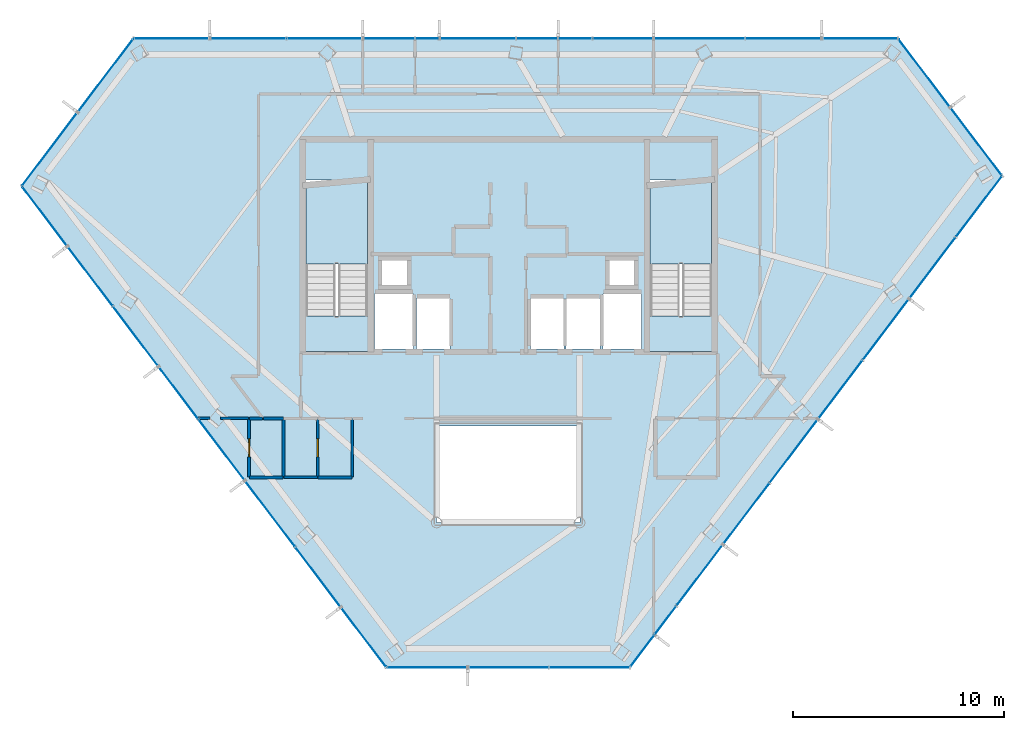
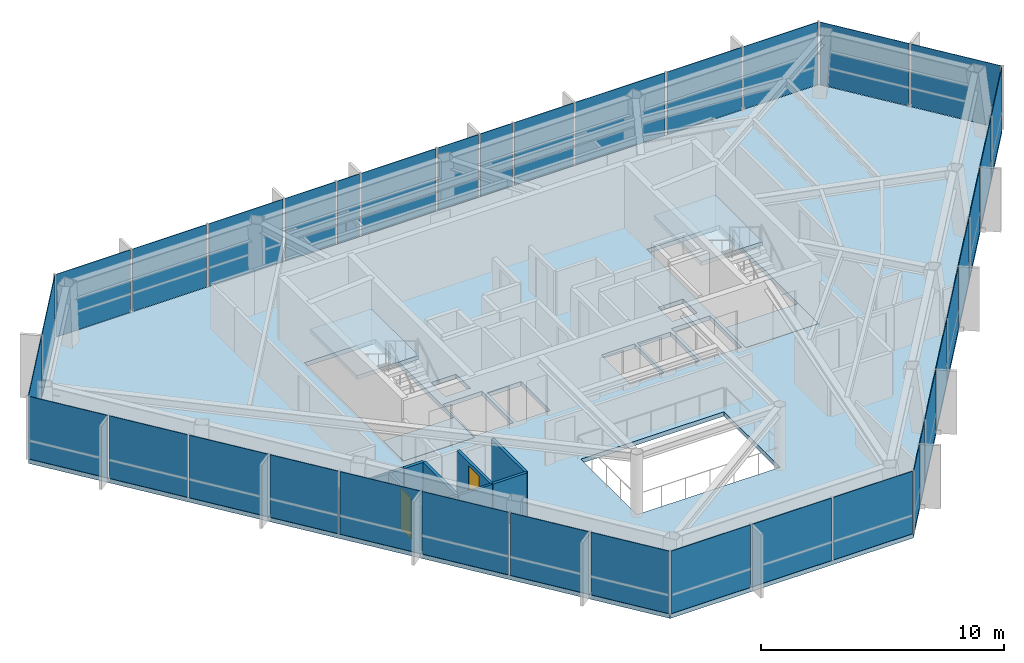
# One storey, part 23 of 27: 36 plates, 11 walls, 5 slabs, 2 doors, 2 openings, 8 elements without a shape of their own.
"""IFC4 building model written with IfcOpenShell, lengths in metres."""

import ifcopenshell
import ifcopenshell.guid

model = None  # the IFC model being written
_history = None  # IfcOwnerHistory: only IFC2X3 demands one
_inside = {}  # id of a spatial element -> (the spatial element, [elements in it])
_under = {}  # id of a project, library or spatial element -> (it, [spatial elements below it])
_declared = {}  # id of a project -> (the project, [libraries it declares])
_typed = {}  # id of a type object -> (the type object, [elements of that type])
_made_of = {}  # id of a material, layer set ... -> (it, [elements and type objects made of it])


def new_model(schema):
    """Start an empty IFC model of exactly this schema.

    Asked for "IFC4X3", IfcOpenShell would pick the latest addendum, in which some entities
    have other attributes; the version numbers below select the first issue.
    IFC2X3 requires an IfcOwnerHistory on every rooted entity: one is made here for all.
    """
    global model, _history
    if schema == "IFC4X3":
        model = ifcopenshell.file(schema_version=(4, 3, 0, 0))
    else:
        model = ifcopenshell.file(schema=schema)
    _inside.clear()
    _under.clear()
    _declared.clear()
    _typed.clear()
    _made_of.clear()
    _history = None
    if model.schema == "IFC2X3":
        org = make("IfcOrganization", Name="unknown")
        user = make(
            "IfcPersonAndOrganization",
            ThePerson=make("IfcPerson", FamilyName="unknown"),
            TheOrganization=org,
        )
        app = make(
            "IfcApplication",
            ApplicationDeveloper=org,
            Version="unknown",
            ApplicationFullName="unknown",
            ApplicationIdentifier="unknown",
        )
        _history = make(
            "IfcOwnerHistory",
            OwningUser=user,
            OwningApplication=app,
            ChangeAction="ADDED",
            CreationDate=0,
        )
    return model


def make(cls, **values):
    """One entity of the class cls with the attributes given. An attribute that is None is left unset."""
    return model.create_entity(
        cls, **{name: value for name, value in values.items() if value is not None}
    )


def rooted(cls, **values):
    """An entity with a GlobalId (a new one), such as an element, a storey or a relation."""
    return make(cls, GlobalId=ifcopenshell.guid.new(), OwnerHistory=_history, **values)


def si_unit(unit_type, name, prefix=None):
    """IfcSIUnit, for example si_unit("LENGTHUNIT", "METRE", prefix="MILLI")."""
    return make("IfcSIUnit", UnitType=unit_type, Prefix=prefix, Name=name)


def assignment(units):
    """IfcUnitAssignment: the units of a project."""
    return None if units is None else make("IfcUnitAssignment", Units=units)


def point(xyz):
    """IfcCartesianPoint."""
    return None if xyz is None else make("IfcCartesianPoint", Coordinates=xyz)


def direction(xyz):
    """IfcDirection."""
    return None if xyz is None else make("IfcDirection", DirectionRatios=xyz)


def frame(location, z_axis=None, x_axis=None):
    """IfcAxis2Placement3D, a coordinate frame: its origin and axes. An axis left out is left unset."""
    return make(
        "IfcAxis2Placement3D",
        Location=point(location),
        Axis=direction(z_axis),
        RefDirection=direction(x_axis),
    )


def frame_2d(location, x_axis=None):
    """IfcAxis2Placement2D, a coordinate frame in the plane: its origin and x axis."""
    return make(
        "IfcAxis2Placement2D", Location=point(location), RefDirection=direction(x_axis)
    )


def origin():
    """The frame at (0, 0, 0) with its axes left unset."""
    return frame((0.0, 0.0, 0.0))


def origin_2d():
    """The frame at (0, 0) in the plane with its x axis left unset."""
    return frame_2d((0.0, 0.0))


def place(relative_to, where):
    """IfcLocalPlacement: puts the frame where relative to a parent placement (None: the world)."""
    return make(
        "IfcLocalPlacement", PlacementRelTo=relative_to, RelativePlacement=where
    )


def context(
    kind, dimensions, precision=None, world=None, true_north=None, identifier=None
):
    """IfcGeometricRepresentationContext, for example the 3D "Model" context."""
    return make(
        "IfcGeometricRepresentationContext",
        ContextIdentifier=identifier,
        ContextType=kind,
        CoordinateSpaceDimension=dimensions,
        Precision=precision,
        WorldCoordinateSystem=world,
        TrueNorth=true_north,
    )


def subcontext(parent, identifier, kind, view, scale=None):
    """IfcGeometricRepresentationSubContext, for example "Body" below "Model"."""
    return make(
        "IfcGeometricRepresentationSubContext",
        ContextIdentifier=identifier,
        ContextType=kind,
        ParentContext=parent,
        TargetScale=scale,
        TargetView=view,
    )


def project(units=None, contexts=None):
    """IfcProject with its units and contexts."""
    return rooted(
        "IfcProject",
        Name="project",
        RepresentationContexts=contexts,
        UnitsInContext=assignment(units),
    )


def spatial(cls, under=None, at=None, **own):
    """A site, building, storey or space (cls), placed at a placement, below another one or the project."""
    s = rooted(cls, ObjectPlacement=at, **own)
    if under is not None:
        _under.setdefault(under.id(), (under, []))[1].append(s)
    return s


def polyline(points):
    """IfcPolyline through the points."""
    return make("IfcPolyline", Points=[point(p) for p in points])


def profile(cls, at=None, kind="AREA", **sizes):
    """A parametric profile (cls). Its sizes go by their IFC names, for example OverallWidth=200.0."""
    return make(cls, ProfileType=kind, Position=at, **sizes)


def rectangle(**sizes):
    """IfcRectangleProfileDef."""
    return profile("IfcRectangleProfileDef", **sizes)


def outline(outer, holes=None, kind="AREA"):
    """IfcArbitraryClosedProfileDef: a profile drawn as a closed curve; with holes, ...WithVoids."""
    if holes is None:
        return make("IfcArbitraryClosedProfileDef", ProfileType=kind, OuterCurve=outer)
    return make(
        "IfcArbitraryProfileDefWithVoids",
        ProfileType=kind,
        OuterCurve=outer,
        InnerCurves=holes,
    )


def extrude(swept, where, along, depth):
    """IfcExtrudedAreaSolid: the profile swept, set in the frame where, extruded along a direction by depth."""
    return make(
        "IfcExtrudedAreaSolid",
        SweptArea=swept,
        Position=where,
        ExtrudedDirection=direction(along),
        Depth=depth,
    )


def shape(context_of_items, identifier, shape_type, items):
    """IfcShapeRepresentation: the items that make up one representation, for example the "Body"."""
    return make(
        "IfcShapeRepresentation",
        ContextOfItems=context_of_items,
        RepresentationIdentifier=identifier,
        RepresentationType=shape_type,
        Items=items,
    )


def material(Name=None, Category=None):
    """IfcMaterial."""
    return make("IfcMaterial", Name=Name, Category=Category)


def layer(
    of_material, thickness, ventilated=None, Name=None, Category=None, Priority=None
):
    """IfcMaterialLayer: one layer of a wall or slab, of a material (None: an air gap)."""
    return make(
        "IfcMaterialLayer",
        Material=of_material,
        LayerThickness=thickness,
        IsVentilated=ventilated,
        Name=Name,
        Category=Category,
        Priority=Priority,
    )


def layer_set(layers, Name=None):
    """IfcMaterialLayerSet."""
    return make("IfcMaterialLayerSet", MaterialLayers=layers, LayerSetName=Name)


def made_of(thing, what):
    """Note that an element or type object is made of a material, layer set ...; save() writes the relation."""
    if what is not None:
        _made_of.setdefault(what.id(), (what, []))[1].append(thing)
    return thing


def type_object(cls, material=None, **own):
    """A type object (cls), such as IfcWallType, which elements share."""
    return made_of(rooted(cls, **own), material)


def element(
    cls,
    number,
    at=None,
    inside=None,
    cuts=None,
    type_object=None,
    material=None,
    context=None,
    identifier="Body",
    shape_type=None,
    held_by="IfcProductDefinitionShape",
    body=None,
    shapes=None,
    **own,
):
    """One element of the class cls, such as IfcWall. Its Tag is "e" and its number.

    at: its placement. inside: the storey or other place that contains it. cuts: it is an
    opening in that element (IfcRelVoidsElement). A single representation is given by context,
    identifier, shape_type and body (its items); several are given by shapes. held_by: the class
    of the entity that holds the representations. save() writes the other relations.
    """
    e = rooted(cls, Tag="e%d" % number, ObjectPlacement=at, **own)
    if body is not None:
        shapes = [shape(context, identifier, shape_type, body)]
    if shapes is not None:
        e.Representation = make(held_by, Representations=shapes)
    if inside is not None:
        _inside.setdefault(inside.id(), (inside, []))[1].append(e)
    if cuts is not None:
        rooted(
            "IfcRelVoidsElement", RelatingBuildingElement=cuts, RelatedOpeningElement=e
        )
    if type_object is not None:
        _typed.setdefault(type_object.id(), (type_object, []))[1].append(e)
    return made_of(e, material)


def fill(opening, filler):
    """IfcRelFillsElement: the door or window that sits in an opening."""
    return rooted(
        "IfcRelFillsElement",
        RelatingOpeningElement=opening,
        RelatedBuildingElement=filler,
    )


def aggregate(whole, parts):
    """IfcRelAggregates: a whole, such as a stair, and the parts it consists of."""
    return rooted("IfcRelAggregates", RelatingObject=whole, RelatedObjects=parts)


def save(model, path):
    """Write the relations noted so far, then the file.

    IfcRelAggregates (storeys below a building ...), IfcRelContainedInSpatialStructure (elements
    in a storey), IfcRelDefinesByType, IfcRelAssociatesMaterial and IfcRelDeclares: one each for
    every whole, place, type object, material and project.
    """
    for whole, parts in _under.values():
        aggregate(whole, parts)
    for where, things in _inside.values():
        rooted(
            "IfcRelContainedInSpatialStructure",
            RelatedElements=things,
            RelatingStructure=where,
        )
    for kind, things in _typed.values():
        rooted("IfcRelDefinesByType", RelatedObjects=things, RelatingType=kind)
    for what, things in _made_of.values():
        rooted("IfcRelAssociatesMaterial", RelatedObjects=things, RelatingMaterial=what)
    for by, libraries in _declared.values():
        rooted("IfcRelDeclares", RelatingContext=by, RelatedDefinitions=libraries)
    model.write(path)


model = new_model("IFC4")

# Units and contexts
model_context = context("Model", 3, precision=1e-05, world=origin(), true_north=direction((0.0, 1.0)))
body_context = subcontext(model_context, "Body", "Model", "MODEL_VIEW")
ifc_project = project(units=[si_unit("LENGTHUNIT", "METRE"), si_unit("AREAUNIT", "SQUARE_METRE"), si_unit("VOLUMEUNIT", "CUBIC_METRE"), si_unit("PLANEANGLEUNIT", "RADIAN"), si_unit("MASSUNIT", "GRAM", prefix="KILO")], contexts=[model_context])

# Site, building, storey
site_placement = place(None, origin())
site = spatial("IfcSite", under=ifc_project, at=site_placement, CompositionType="ELEMENT")
building_placement = place(site_placement, origin())
building = spatial("IfcBuilding", under=site, at=building_placement, Name="Zarrinselat Tower", CompositionType="ELEMENT")
storey_placement = place(building_placement, frame((0.0, 0.0, 235.9599609375)))
storey = spatial("IfcBuildingStorey", under=building, at=storey_placement, Name="L59", CompositionType="ELEMENT", Elevation=235.9599609375)

# Curtain wall, plates
ifc_material_1 = material(Name="Extruded Aluminium Alloy EN AW-6063 T6", Category="aluminium")
ifc_layer_1 = layer(ifc_material_1, 0.169921875)
ifc_layer_set_1 = layer_set([ifc_layer_1], Name="Extruded Aluminium Alloy EN AW-6063 T6")
curtain_wall_type = type_object("IfcCurtainWallType", Name="CWS-RES", PredefinedType="NOTDEFINED", material=ifc_layer_set_1)
curtain_wall_1_placement = place(storey_placement, origin())
curtain_wall_1 = element("IfcCurtainWall", 1, at=curtain_wall_1_placement, inside=storey, type_object=curtain_wall_type, Name="L59 Unitised Curtain Wall CW-L59-E01", PredefinedType="NOTDEFINED")
ifc_material_2 = material(Name="Double Low-E Laminated Solar Glass", Category="glass")
ifc_layer_2 = layer(ifc_material_2, 0.028076171875)
ifc_layer_set_2 = layer_set([ifc_layer_2], Name="Double Low-E Laminated Solar Glass")
plate_type = type_object("IfcPlateType", Name="PLT-CW-GL28", PredefinedType="CURTAIN_PANEL", material=ifc_layer_set_2)
plate_1_placement = place(storey_placement, frame((55.10009765625, 48.177734375, 0.02001953125), z_axis=(0.0, 0.0, 1.0), x_axis=(-1.0, 0.0, 0.0)))
plate_1 = element("IfcPlate", 2, at=plate_1_placement, type_object=plate_type, Name="CW-L59-E01 Vision Glass Panel 1", PredefinedType="CURTAIN_PANEL", context=body_context, shape_type="SweptSolid", body=[
    extrude(rectangle(XDim=3.530517578125, YDim=0.028076171875, at=origin_2d()), origin(), (0.0, 0.0, 1.0), 3.139892578125),
])
plate_2_placement = place(storey_placement, frame((51.469482421875, 48.177734375, 0.02001953125), z_axis=(0.0, 0.0, 1.0), x_axis=(-1.0, 0.0, 0.0)))
plate_2 = element("IfcPlate", 3, at=plate_2_placement, type_object=plate_type, Name="CW-L59-E01 Vision Glass Panel 2", PredefinedType="CURTAIN_PANEL", context=body_context, shape_type="SweptSolid", body=[
    extrude(rectangle(XDim=3.530517578125, YDim=0.028076171875, at=origin_2d()), origin(), (0.0, 0.0, 1.0), 3.139892578125),
])
plate_3_placement = place(storey_placement, frame((47.477294921875, 48.177734375, 0.02001953125), z_axis=(0.0, 0.0, 1.0), x_axis=(-1.0, 0.0, 0.0)))
plate_3 = element("IfcPlate", 4, at=plate_3_placement, type_object=plate_type, Name="CW-L59-E01 Vision Glass Panel 3", PredefinedType="CURTAIN_PANEL", context=body_context, shape_type="SweptSolid", body=[
    extrude(rectangle(XDim=4.25439453125, YDim=0.028076171875, at=origin_2d()), origin(), (0.0, 0.0, 1.0), 3.139892578125),
])
plate_4_placement = place(storey_placement, frame((43.846923828125, 48.177734375, 0.02001953125), z_axis=(0.0, 0.0, 1.0), x_axis=(-1.0, 0.0, 0.0)))
plate_4 = element("IfcPlate", 5, at=plate_4_placement, type_object=plate_type, Name="CW-L59-E01 Vision Glass Panel 4", PredefinedType="CURTAIN_PANEL", context=body_context, shape_type="SweptSolid", body=[
    extrude(rectangle(XDim=2.806396484375, YDim=0.028076171875, at=origin_2d()), origin(), (0.0, 0.0, 1.0), 3.139892578125),
])
plate_5_placement = place(storey_placement, frame((41.583740234375, 48.177734375, 0.02001953125), z_axis=(0.0, 0.0, 1.0), x_axis=(-1.0, 0.0, 0.0)))
plate_5 = element("IfcPlate", 6, at=plate_5_placement, type_object=plate_type, Name="CW-L59-E01 Vision Glass Panel 5", PredefinedType="CURTAIN_PANEL", context=body_context, shape_type="SweptSolid", body=[
    extrude(rectangle(XDim=1.52001953125, YDim=0.028076171875, at=origin_2d()), origin(), (0.0, 0.0, 1.0), 3.139892578125),
])
plate_6_placement = place(storey_placement, frame((39.7685546875, 48.177734375, 0.02001953125), z_axis=(0.0, 0.0, 1.0), x_axis=(-1.0, 0.0, 0.0)))
plate_6 = element("IfcPlate", 7, at=plate_6_placement, type_object=plate_type, Name="CW-L59-E01 Vision Glass Panel 6", PredefinedType="CURTAIN_PANEL", context=body_context, shape_type="SweptSolid", body=[
    extrude(rectangle(XDim=1.910400390625, YDim=0.028076171875, at=origin_2d()), origin(), (0.0, 0.0, 1.0), 3.139892578125),
])
plate_7_placement = place(storey_placement, frame((36.9482421875, 48.177734375, 0.02001953125), z_axis=(0.0, 0.0, 1.0), x_axis=(-1.0, 0.0, 0.0)))
plate_7 = element("IfcPlate", 8, at=plate_7_placement, type_object=plate_type, Name="CW-L59-E01 Vision Glass Panel 7", PredefinedType="CURTAIN_PANEL", context=body_context, shape_type="SweptSolid", body=[
    extrude(rectangle(XDim=3.530517578125, YDim=0.028076171875, at=origin_2d()), origin(), (0.0, 0.0, 1.0), 3.139892578125),
])
plate_8_placement = place(storey_placement, frame((34.55859375, 48.177734375, 0.02001953125), z_axis=(0.0, 0.0, 1.0), x_axis=(-1.0, 0.0, 0.0)))
plate_8 = element("IfcPlate", 9, at=plate_8_placement, type_object=plate_type, Name="CW-L59-E01 Vision Glass Panel 8", PredefinedType="CURTAIN_PANEL", context=body_context, shape_type="SweptSolid", body=[
    extrude(rectangle(XDim=1.049072265625, YDim=0.028076171875, at=origin_2d()), origin(), (0.0, 0.0, 1.0), 3.139892578125),
])
plate_9_placement = place(storey_placement, frame((32.741943359375, 48.177734375, 0.02001953125), z_axis=(0.0, 0.0, 1.0), x_axis=(-1.0, 0.0, 0.0)))
plate_9 = element("IfcPlate", 10, at=plate_9_placement, type_object=plate_type, Name="CW-L59-E01 Vision Glass Panel 9", PredefinedType="CURTAIN_PANEL", context=body_context, shape_type="SweptSolid", body=[
    extrude(rectangle(XDim=2.384033203125, YDim=0.028076171875, at=origin_2d()), origin(), (0.0, 0.0, 1.0), 3.139892578125),
])
plate_10_placement = place(storey_placement, frame((29.68603515625, 48.177734375, 0.02001953125), z_axis=(0.0, 0.0, 1.0), x_axis=(-1.0, 0.0, 0.0)))
plate_10 = element("IfcPlate", 11, at=plate_10_placement, type_object=plate_type, Name="CW-L59-E01 Vision Glass Panel 10", PredefinedType="CURTAIN_PANEL", context=body_context, shape_type="SweptSolid", body=[
    extrude(rectangle(XDim=3.52783203125, YDim=0.028076171875, at=origin_2d()), origin(), (0.0, 0.0, 1.0), 3.139892578125),
])
plate_11_placement = place(storey_placement, frame((26.05712890625, 48.177734375, 0.02001953125), z_axis=(0.0, 0.0, 1.0), x_axis=(-1.0, 0.0, 0.0)))
plate_11 = element("IfcPlate", 12, at=plate_11_placement, type_object=plate_type, Name="CW-L59-E01 Vision Glass Panel 11", PredefinedType="CURTAIN_PANEL", context=body_context, shape_type="SweptSolid", body=[
    extrude(rectangle(XDim=3.530517578125, YDim=0.028076171875, at=origin_2d()), origin(), (0.0, 0.0, 1.0), 3.139892578125),
])
plate_12_placement = place(storey_placement, frame((22.4267578125, 48.177734375, 0.02001953125), z_axis=(0.0, 0.0, 1.0), x_axis=(-1.0, 0.0, 0.0)))
plate_12 = element("IfcPlate", 13, at=plate_12_placement, type_object=plate_type, Name="CW-L59-E01 Vision Glass Panel 12", PredefinedType="CURTAIN_PANEL", context=body_context, shape_type="SweptSolid", body=[
    extrude(rectangle(XDim=3.530517578125, YDim=0.028076171875, at=origin_2d()), origin(), (0.0, 0.0, 1.0), 3.139892578125),
])
aggregate(curtain_wall_1, [plate_1, plate_2, plate_3, plate_4, plate_5, plate_6, plate_7, plate_8, plate_9, plate_10, plate_11, plate_12])

curtain_wall_2_placement = place(storey_placement, origin())
curtain_wall_2 = element("IfcCurtainWall", 14, at=curtain_wall_2_placement, inside=storey, type_object=curtain_wall_type, Name="L59 Unitised Curtain Wall CW-L59-E02", PredefinedType="NOTDEFINED")
plate_13_placement = place(storey_placement, frame((19.286376953125, 46.4287109375, 0.02001953125), z_axis=(0.0, 0.0, 1.0), x_axis=(-0.603855713814, -0.797093643742, 0.0)))
plate_13 = element("IfcPlate", 15, at=plate_13_placement, type_object=plate_type, Name="CW-L59-E02 Vision Glass Panel 1", PredefinedType="CURTAIN_PANEL", context=body_context, shape_type="SweptSolid", body=[
    extrude(rectangle(XDim=4.28857421875, YDim=0.028076171875, at=origin_2d()), origin(), (0.0, 0.0, 1.0), 3.139892578125),
])
plate_14_placement = place(storey_placement, frame((16.636474609375, 42.9306640625, 0.02001953125), z_axis=(0.0, 0.0, 1.0), x_axis=(-0.603855713814, -0.797093643742, 0.0)))
plate_14 = element("IfcPlate", 16, at=plate_14_placement, type_object=plate_type, Name="CW-L59-E02 Vision Glass Panel 2", PredefinedType="CURTAIN_PANEL", context=body_context, shape_type="SweptSolid", body=[
    extrude(rectangle(XDim=4.28857421875, YDim=0.028076171875, at=origin_2d()), origin(), (0.0, 0.0, 1.0), 3.139892578125),
])
aggregate(curtain_wall_2, [plate_13, plate_14])

curtain_wall_3_placement = place(storey_placement, origin())
curtain_wall_3 = element("IfcCurtainWall", 17, at=curtain_wall_3_placement, inside=storey, type_object=curtain_wall_type, Name="L59 Unitised Curtain Wall CW-L59-E03", PredefinedType="NOTDEFINED")
plate_15_placement = place(storey_placement, frame((16.39306640625, 39.75341796875, 0.02001953125), z_axis=(0.0, 0.0, 1.0), x_axis=(0.603857419315, -0.7970923517, 0.0)))
plate_15 = element("IfcPlate", 18, at=plate_15_placement, type_object=plate_type, Name="CW-L59-E03 Vision Glass Panel 1", PredefinedType="CURTAIN_PANEL", context=body_context, shape_type="SweptSolid", body=[
    extrude(rectangle(XDim=3.48291015625, YDim=0.028076171875, at=origin_2d()), origin(), (0.0, 0.0, 1.0), 3.139892578125),
])
plate_16_placement = place(storey_placement, frame((18.556640625, 36.897705078125, 0.02001953125), z_axis=(0.0, 0.0, 1.0), x_axis=(0.603857419315, -0.7970923517, 0.0)))
plate_16 = element("IfcPlate", 19, at=plate_16_placement, type_object=plate_type, Name="CW-L59-E03 Vision Glass Panel 2", PredefinedType="CURTAIN_PANEL", context=body_context, shape_type="SweptSolid", body=[
    extrude(rectangle(XDim=3.48291015625, YDim=0.028076171875, at=origin_2d()), origin(), (0.0, 0.0, 1.0), 3.139892578125),
])
plate_17_placement = place(storey_placement, frame((20.72021484375, 34.041748046875, 0.02001953125), z_axis=(0.0, 0.0, 1.0), x_axis=(0.603857419315, -0.7970923517, 0.0)))
plate_17 = element("IfcPlate", 20, at=plate_17_placement, type_object=plate_type, Name="CW-L59-E03 Vision Glass Panel 3", PredefinedType="CURTAIN_PANEL", context=body_context, shape_type="SweptSolid", body=[
    extrude(rectangle(XDim=3.48291015625, YDim=0.028076171875, at=origin_2d()), origin(), (0.0, 0.0, 1.0), 3.139892578125),
])
plate_18_placement = place(storey_placement, frame((22.7490234375, 31.36376953125, 0.02001953125), z_axis=(0.0, 0.0, 1.0), x_axis=(0.603857419315, -0.7970923517, 0.0)))
plate_18 = element("IfcPlate", 21, at=plate_18_placement, type_object=plate_type, Name="CW-L59-E03 Vision Glass Panel 4", PredefinedType="CURTAIN_PANEL", context=body_context, shape_type="SweptSolid", body=[
    extrude(rectangle(XDim=3.036376953125, YDim=0.028076171875, at=origin_2d()), origin(), (0.0, 0.0, 1.0), 3.139892578125),
])
plate_19_placement = place(storey_placement, frame((24.79931640625, 28.6572265625, 0.02001953125), z_axis=(0.0, 0.0, 1.0), x_axis=(0.603857419315, -0.7970923517, 0.0)))
plate_19 = element("IfcPlate", 22, at=plate_19_placement, type_object=plate_type, Name="CW-L59-E03 Vision Glass Panel 5", PredefinedType="CURTAIN_PANEL", context=body_context, shape_type="SweptSolid", body=[
    extrude(rectangle(XDim=3.5546875, YDim=0.028076171875, at=origin_2d()), origin(), (0.0, 0.0, 1.0), 3.139892578125),
])
plate_20_placement = place(storey_placement, frame((27.097900390625, 25.623291015625, 0.02001953125), z_axis=(0.0, 0.0, 1.0), x_axis=(0.603857419315, -0.7970923517, 0.0)))
plate_20 = element("IfcPlate", 23, at=plate_20_placement, type_object=plate_type, Name="CW-L59-E03 Vision Glass Panel 6", PredefinedType="CURTAIN_PANEL", context=body_context, shape_type="SweptSolid", body=[
    extrude(rectangle(XDim=3.85791015625, YDim=0.028076171875, at=origin_2d()), origin(), (0.0, 0.0, 1.0), 3.139892578125),
])
plate_21_placement = place(storey_placement, frame((29.37451171875, 22.617919921875, 0.02001953125), z_axis=(0.0, 0.0, 1.0), x_axis=(0.603857419315, -0.7970923517, 0.0)))
plate_21 = element("IfcPlate", 24, at=plate_21_placement, type_object=plate_type, Name="CW-L59-E03 Vision Glass Panel 7", PredefinedType="CURTAIN_PANEL", context=body_context, shape_type="SweptSolid", body=[
    extrude(rectangle(XDim=3.48291015625, YDim=0.028076171875, at=origin_2d()), origin(), (0.0, 0.0, 1.0), 3.139892578125),
])
plate_22_placement = place(storey_placement, frame((31.5380859375, 19.761962890625, 0.02001953125), z_axis=(0.0, 0.0, 1.0), x_axis=(0.603857419315, -0.7970923517, 0.0)))
plate_22 = element("IfcPlate", 25, at=plate_22_placement, type_object=plate_type, Name="CW-L59-E03 Vision Glass Panel 8", PredefinedType="CURTAIN_PANEL", context=body_context, shape_type="SweptSolid", body=[
    extrude(rectangle(XDim=3.48291015625, YDim=0.028076171875, at=origin_2d()), origin(), (0.0, 0.0, 1.0), 3.139892578125),
])
aggregate(curtain_wall_3, [plate_15, plate_16, plate_17, plate_18, plate_19, plate_20, plate_21, plate_22])

curtain_wall_4_placement = place(storey_placement, origin())
curtain_wall_4 = element("IfcCurtainWall", 26, at=curtain_wall_4_placement, inside=storey, type_object=curtain_wall_type, Name="L59 Unitised Curtain Wall CW-L59-E04", PredefinedType="NOTDEFINED")
plate_23_placement = place(storey_placement, frame((34.546630859375, 18.333984375, 0.02001953125), z_axis=(0.0, 0.0, 1.0), x_axis=(1.0, 0.0, 0.0)))
plate_23 = element("IfcPlate", 27, at=plate_23_placement, type_object=plate_type, Name="CW-L59-E04 Vision Glass Panel 1", PredefinedType="CURTAIN_PANEL", context=body_context, shape_type="SweptSolid", body=[
    extrude(rectangle(XDim=3.75341796875, YDim=0.028076171875, at=origin_2d()), origin(), (0.0, 0.0, 1.0), 3.139892578125),
])
plate_24_placement = place(storey_placement, frame((38.39990234375, 18.333984375, 0.02001953125), z_axis=(0.0, 0.0, 1.0), x_axis=(1.0, 0.0, 0.0)))
plate_24 = element("IfcPlate", 28, at=plate_24_placement, type_object=plate_type, Name="CW-L59-E04 Vision Glass Panel 2", PredefinedType="CURTAIN_PANEL", context=body_context, shape_type="SweptSolid", body=[
    extrude(rectangle(XDim=3.75341796875, YDim=0.028076171875, at=origin_2d()), origin(), (0.0, 0.0, 1.0), 3.139892578125),
])
plate_25_placement = place(storey_placement, frame((42.25341796875, 18.333984375, 0.02001953125), z_axis=(0.0, 0.0, 1.0), x_axis=(1.0, 0.0, 0.0)))
plate_25 = element("IfcPlate", 29, at=plate_25_placement, type_object=plate_type, Name="CW-L59-E04 Vision Glass Panel 3", PredefinedType="CURTAIN_PANEL", context=body_context, shape_type="SweptSolid", body=[
    extrude(rectangle(XDim=3.75341796875, YDim=0.028076171875, at=origin_2d()), origin(), (0.0, 0.0, 1.0), 3.139892578125),
])
aggregate(curtain_wall_4, [plate_23, plate_24, plate_25])

curtain_wall_5_placement = place(storey_placement, origin())
curtain_wall_5 = element("IfcCurtainWall", 30, at=curtain_wall_5_placement, inside=storey, type_object=curtain_wall_type, Name="L59 Unitised Curtain Wall CW-L59-E05", PredefinedType="NOTDEFINED")
plate_26_placement = place(storey_placement, frame((44.763916015625, 19.104736328125, 0.02001953125), z_axis=(0.0, 0.0, 1.0), x_axis=(0.603858872188, 0.797091251037, 0.0)))
plate_26 = element("IfcPlate", 31, at=plate_26_placement, type_object=plate_type, Name="CW-L59-E05 Vision Glass Panel 1", PredefinedType="CURTAIN_PANEL", context=body_context, shape_type="SweptSolid", body=[
    extrude(rectangle(XDim=1.833984375, YDim=0.028076171875, at=origin_2d()), origin(), (0.0, 0.0, 1.0), 3.139892578125),
])
plate_27_placement = place(storey_placement, frame((45.868408203125, 20.562744140625, 0.02001953125), z_axis=(0.0, 0.0, 1.0), x_axis=(0.603858872188, 0.797091251037, 0.0)))
plate_27 = element("IfcPlate", 32, at=plate_27_placement, type_object=plate_type, Name="CW-L59-E05 Vision Glass Panel 2", PredefinedType="CURTAIN_PANEL", context=body_context, shape_type="SweptSolid", body=[
    extrude(rectangle(XDim=1.624267578125, YDim=0.028076171875, at=origin_2d()), origin(), (0.0, 0.0, 1.0), 3.139892578125),
])
plate_28_placement = place(storey_placement, frame((47.493408203125, 22.707763671875, 0.02001953125), z_axis=(0.0, 0.0, 1.0), x_axis=(0.603858872188, 0.797091251037, 0.0)))
plate_28 = element("IfcPlate", 33, at=plate_28_placement, type_object=plate_type, Name="CW-L59-E05 Vision Glass Panel 3", PredefinedType="CURTAIN_PANEL", context=body_context, shape_type="SweptSolid", body=[
    extrude(rectangle(XDim=3.55810546875, YDim=0.028076171875, at=origin_2d()), origin(), (0.0, 0.0, 1.0), 3.139892578125),
])
plate_29_placement = place(storey_placement, frame((49.702392578125, 25.623779296875, 0.02001953125), z_axis=(0.0, 0.0, 1.0), x_axis=(0.603858872188, 0.797091251037, 0.0)))
plate_29 = element("IfcPlate", 34, at=plate_29_placement, type_object=plate_type, Name="CW-L59-E05 Vision Glass Panel 4", PredefinedType="CURTAIN_PANEL", context=body_context, shape_type="SweptSolid", body=[
    extrude(rectangle(XDim=3.55810546875, YDim=0.028076171875, at=origin_2d()), origin(), (0.0, 0.0, 1.0), 3.139892578125),
])
plate_30_placement = place(storey_placement, frame((51.95556640625, 28.59765625, 0.02001953125), z_axis=(0.0, 0.0, 1.0), x_axis=(0.603858872188, 0.797091251037, 0.0)))
plate_30 = element("IfcPlate", 35, at=plate_30_placement, type_object=plate_type, Name="CW-L59-E05 Vision Glass Panel 5", PredefinedType="CURTAIN_PANEL", context=body_context, shape_type="SweptSolid", body=[
    extrude(rectangle(XDim=3.7041015625, YDim=0.028076171875, at=origin_2d()), origin(), (0.0, 0.0, 1.0), 3.139892578125),
])
plate_31_placement = place(storey_placement, frame((54.16455078125, 31.513671875, 0.02001953125), z_axis=(0.0, 0.0, 1.0), x_axis=(0.603858872188, 0.797091251037, 0.0)))
plate_31 = element("IfcPlate", 36, at=plate_31_placement, type_object=plate_type, Name="CW-L59-E05 Vision Glass Panel 6", PredefinedType="CURTAIN_PANEL", context=body_context, shape_type="SweptSolid", body=[
    extrude(rectangle(XDim=3.412353515625, YDim=0.028076171875, at=origin_2d()), origin(), (0.0, 0.0, 1.0), 3.139892578125),
])
plate_32_placement = place(storey_placement, frame((56.32958984375, 34.371337890625, 0.02001953125), z_axis=(0.0, 0.0, 1.0), x_axis=(0.603858872188, 0.797091251037, 0.0)))
plate_32 = element("IfcPlate", 37, at=plate_32_placement, type_object=plate_type, Name="CW-L59-E05 Vision Glass Panel 7", PredefinedType="CURTAIN_PANEL", context=body_context, shape_type="SweptSolid", body=[
    extrude(rectangle(XDim=3.55810546875, YDim=0.028076171875, at=origin_2d()), origin(), (0.0, 0.0, 1.0), 3.139892578125),
])
plate_33_placement = place(storey_placement, frame((58.53857421875, 37.287353515625, 0.02001953125), z_axis=(0.0, 0.0, 1.0), x_axis=(0.603858872188, 0.797091251037, 0.0)))
plate_33 = element("IfcPlate", 38, at=plate_33_placement, type_object=plate_type, Name="CW-L59-E05 Vision Glass Panel 8", PredefinedType="CURTAIN_PANEL", context=body_context, shape_type="SweptSolid", body=[
    extrude(rectangle(XDim=3.55810546875, YDim=0.028076171875, at=origin_2d()), origin(), (0.0, 0.0, 1.0), 3.139892578125),
])
plate_34_placement = place(storey_placement, frame((60.74755859375, 40.203125, 0.02001953125), z_axis=(0.0, 0.0, 1.0), x_axis=(0.603858872188, 0.797091251037, 0.0)))
plate_34 = element("IfcPlate", 39, at=plate_34_placement, type_object=plate_type, Name="CW-L59-E05 Vision Glass Panel 9", PredefinedType="CURTAIN_PANEL", context=body_context, shape_type="SweptSolid", body=[
    extrude(rectangle(XDim=3.55810546875, YDim=0.028076171875, at=origin_2d()), origin(), (0.0, 0.0, 1.0), 3.139892578125),
])
aggregate(curtain_wall_5, [plate_26, plate_27, plate_28, plate_29, plate_30, plate_31, plate_32, plate_33, plate_34])

curtain_wall_6_placement = place(storey_placement, origin())
curtain_wall_6 = element("IfcCurtainWall", 40, at=curtain_wall_6_placement, inside=storey, type_object=curtain_wall_type, Name="L59 Unitised Curtain Wall CW-L59-E06", PredefinedType="NOTDEFINED")
plate_35_placement = place(storey_placement, frame((60.617919921875, 43.290283203125, 0.02001953125), z_axis=(0.0, 0.0, 1.0), x_axis=(-0.603858158982, 0.797091791346, 0.0)))
plate_35 = element("IfcPlate", 41, at=plate_35_placement, type_object=plate_type, Name="CW-L59-E06 Vision Glass Panel 1", PredefinedType="CURTAIN_PANEL", context=body_context, shape_type="SweptSolid", body=[
    extrude(rectangle(XDim=3.98779296875, YDim=0.028076171875, at=origin_2d()), origin(), (0.0, 0.0, 1.0), 3.139892578125),
])
plate_36_placement = place(storey_placement, frame((58.1494140625, 46.548583984375, 0.02001953125), z_axis=(0.0, 0.0, 1.0), x_axis=(-0.603858158982, 0.797091791346, 0.0)))
plate_36 = element("IfcPlate", 42, at=plate_36_placement, type_object=plate_type, Name="CW-L59-E06 Vision Glass Panel 2", PredefinedType="CURTAIN_PANEL", context=body_context, shape_type="SweptSolid", body=[
    extrude(rectangle(XDim=3.98779296875, YDim=0.028076171875, at=origin_2d()), origin(), (0.0, 0.0, 1.0), 3.139892578125),
])
aggregate(curtain_wall_6, [plate_35, plate_36])

# Slabs
ifc_material_3 = material(Name="Concrete C40/50", Category="concrete")
ifc_layer_3 = layer(ifc_material_3, 0.219970703125)
ifc_layer_set_3 = layer_set([ifc_layer_3], Name="Concrete C40/50")
slab_type_1 = type_object("IfcSlabType", Name="SLB-FLOOR-220-SL-RS220", PredefinedType="FLOOR", material=ifc_layer_set_3)
slab_1_placement = place(storey_placement, frame((0.0, 0.0, -0.219970703125)))
element("IfcSlab", 43, at=slab_1_placement, inside=storey, type_object=slab_type_1, Name="L59 Primary Structural Slab", PredefinedType="FLOOR", context=body_context, shape_type="SweptSolid", body=[
    extrude(outline(polyline([(56.915283203125, 48.177734375), (20.611572265625, 48.177734375), (15.311279296875, 41.181396484375), (32.6201171875, 18.333984375), (44.179931640625, 18.333984375), (61.85205078125, 41.6611328125), (56.915283203125, 48.177734375)]), holes=[polyline([(41.800048828125, 25.199951171875), (35.0, 25.199951171875), (35.0, 29.800048828125), (41.800048828125, 29.800048828125), (41.800048828125, 25.199951171875)]), polyline([(35.64990234375, 33.449951171875), (34.050048828125, 33.449951171875), (34.050048828125, 35.85009765625), (35.64990234375, 35.85009765625), (35.64990234375, 33.449951171875)]), polyline([(41.050048828125, 33.449951171875), (39.449951171875, 33.449951171875), (39.449951171875, 35.85009765625), (41.050048828125, 35.85009765625), (41.050048828125, 33.449951171875)]), polyline([(41.14990234375, 33.449951171875), (41.14990234375, 35.85009765625), (42.75, 35.85009765625), (42.75, 33.449951171875), (41.14990234375, 33.449951171875)]), polyline([(32.06005859375, 33.449951171875), (32.06005859375, 36.050048828125), (33.89990234375, 36.050048828125), (33.89990234375, 33.449951171875), (32.06005859375, 33.449951171875)]), polyline([(44.739990234375, 33.449951171875), (42.89990234375, 33.449951171875), (42.89990234375, 36.050048828125), (44.739990234375, 36.050048828125), (44.739990234375, 33.449951171875)]), polyline([(33.60009765625, 36.47998046875), (32.419921875, 36.47998046875), (32.419921875, 37.639892578125), (33.60009765625, 37.639892578125), (33.60009765625, 36.47998046875)]), polyline([(44.3798828125, 36.47998046875), (43.199951171875, 36.47998046875), (43.199951171875, 37.639892578125), (44.3798828125, 37.639892578125), (44.3798828125, 36.47998046875)]), polyline([(31.985107421875, 33.324951171875), (28.60498046875, 33.324951171875), (28.60498046875, 41.47509765625), (31.985107421875, 41.47509765625), (31.985107421875, 33.324951171875)]), polyline([(48.324951171875, 33.324951171875), (44.875, 33.324951171875), (44.875, 41.47509765625), (48.324951171875, 41.47509765625), (48.324951171875, 33.324951171875)])]), origin(), (0.0, 0.0, 1.0), 0.219970703125),
])
slab_2_placement = place(storey_placement, frame((0.0, 0.0, -0.219970703125)))
element("IfcSlab", 44, at=slab_2_placement, inside=storey, type_object=slab_type_1, Name="L59 Stair ST-1-FL1 Structural Floor Landing", PredefinedType="FLOOR", context=body_context, shape_type="SweptSolid", body=[
    extrude(outline(polyline([(31.97998046875, 33.330078125), (31.97998046875, 35.0), (28.610107421875, 35.0), (28.610107421875, 33.330078125), (31.97998046875, 33.330078125)])), origin(), (0.0, 0.0, 1.0), 0.219970703125),
])
slab_3_placement = place(storey_placement, frame((0.0, 0.0, -0.219970703125)))
element("IfcSlab", 45, at=slab_3_placement, inside=storey, type_object=slab_type_1, Name="L59 Stair ST-2-FL1 Structural Floor Landing", PredefinedType="FLOOR", context=body_context, shape_type="SweptSolid", body=[
    extrude(outline(polyline([(48.320068359375, 33.330078125), (48.320068359375, 35.0), (44.8798828125, 35.0), (44.8798828125, 33.330078125), (48.320068359375, 33.330078125)])), origin(), (0.0, 0.0, 1.0), 0.219970703125),
])

# Stair, slab
ifc_material_4 = material(Name="Concrete C40/50", Category="concrete")
stair_type = type_object("IfcStairType", Name="STR-CORE-155", PredefinedType="HALF_TURN_STAIR", material=ifc_material_4)
stair_1_placement = place(storey_placement, origin())
stair_1 = element("IfcStair", 46, at=stair_1_placement, inside=storey, type_object=stair_type, Name="L59 Core Exit Stair 1", PredefinedType="HALF_TURN_STAIR")
ifc_material_5 = material(Name="Concrete C40/50", Category="concrete")
ifc_layer_4 = layer(ifc_material_5, 0.18994140625)
ifc_layer_set_4 = layer_set([ifc_layer_4], Name="Concrete C40/50")
slab_type_2 = type_object("IfcSlabType", Name="SLB-LND-190", PredefinedType="LANDING", material=ifc_layer_set_4)
slab_4_placement = place(storey_placement, frame((0.0, 0.0, 1.5)))
slab_4 = element("IfcSlab", 47, at=slab_4_placement, type_object=slab_type_2, Name="ST-1 landing 1", PredefinedType="LANDING", context=body_context, shape_type="SweptSolid", body=[
    extrude(outline(polyline([(31.719970703125, 37.47998046875), (31.719970703125, 41.35009765625), (28.800048828125, 41.35009765625), (28.800048828125, 37.47998046875), (31.719970703125, 37.47998046875)])), origin(), (0.0, 0.0, 1.0), 0.199951171875),
])
aggregate(stair_1, [slab_4])

stair_2_placement = place(storey_placement, origin())
stair_2 = element("IfcStair", 48, at=stair_2_placement, inside=storey, type_object=stair_type, Name="L59 Core Exit Stair 2", PredefinedType="HALF_TURN_STAIR")
slab_5_placement = place(storey_placement, frame((0.0, 0.0, 1.5)))
slab_5 = element("IfcSlab", 49, at=slab_5_placement, type_object=slab_type_2, Name="ST-2 landing 1", PredefinedType="LANDING", context=body_context, shape_type="SweptSolid", body=[
    extrude(outline(polyline([(48.06005859375, 37.47998046875), (48.06005859375, 41.35009765625), (45.139892578125, 41.35009765625), (45.139892578125, 37.47998046875), (48.06005859375, 37.47998046875)])), origin(), (0.0, 0.0, 1.0), 0.199951171875),
])
aggregate(stair_2, [slab_5])

# Walls
ifc_material_6 = material(Name="Fire-Rated Gypsum Board Partition", Category="gypsum")
ifc_layer_5 = layer(ifc_material_6, 0.14990234375)
ifc_layer_set_5 = layer_set([ifc_layer_5], Name="Fire-Rated Gypsum Board Partition")
wall_type_1 = type_object("IfcWallType", Name="WAL-PART-EI60", PredefinedType="PARTITIONING", material=ifc_layer_set_5)
wall_1_placement = place(storey_placement, frame((26.774658203125, 30.14990234375, 0.0), z_axis=(0.0, 0.0, 1.0), x_axis=(1.0, 0.0, 0.0)))
element("IfcWall", 50, at=wall_1_placement, inside=storey, type_object=wall_type_1, Name="L59 Partition Wall 23", PredefinedType="PARTITIONING", context=body_context, shape_type="SweptSolid", body=[
    extrude(rectangle(XDim=0.950439453125, YDim=0.14990234375, at=frame_2d((0.47509765625, 0.0))), origin(), (0.0, 0.0, 1.0), 2.235107421875),
])
ifc_material_7 = material(Name="Fire-Rated Gypsum Board Partition", Category="gypsum")
ifc_layer_6 = layer(ifc_material_7, 0.1201171875)
ifc_layer_set_6 = layer_set([ifc_layer_6], Name="Fire-Rated Gypsum Board Partition")
wall_type_2 = type_object("IfcWallType", Name="WAL-PART-STD", PredefinedType="PARTITIONING", material=ifc_layer_set_6)
wall_2_placement = place(storey_placement, frame((27.75, 27.35009765625, 0.0), z_axis=(0.0, 0.0, 1.0), x_axis=(1.0, 0.0, 0.0)))
element("IfcWall", 51, at=wall_2_placement, inside=storey, type_object=wall_type_2, Name="L59 Partition Wall 48", PredefinedType="PARTITIONING", context=body_context, shape_type="SweptSolid", body=[
    extrude(rectangle(XDim=1.590087890625, YDim=0.1201171875, at=frame_2d((0.794921875, 0.0))), origin(), (0.0, 0.0, 1.0), 2.235107421875),
])
wall_3_placement = place(storey_placement, frame((23.68359375, 30.14990234375, 0.0), z_axis=(0.0, 0.0, 1.0), x_axis=(1.0, 0.0, 0.0)))
element("IfcWall", 52, at=wall_3_placement, inside=storey, type_object=wall_type_2, Name="L59 Partition Wall 50", PredefinedType="PARTITIONING", context=body_context, shape_type="SweptSolid", body=[
    extrude(rectangle(XDim=0.56201171875, YDim=0.1201171875, at=frame_2d((0.281005859375, 0.0))), origin(), (0.0, 0.0, 1.0), 2.235107421875),
])
wall_4_placement = place(storey_placement, frame((24.75439453125, 30.14990234375, 0.0), z_axis=(0.0, 0.0, 1.0), x_axis=(1.0, 0.0, 0.0)))
element("IfcWall", 53, at=wall_4_placement, inside=storey, type_object=wall_type_2, Name="L59 Partition Wall 51", PredefinedType="PARTITIONING", context=body_context, shape_type="SweptSolid", body=[
    extrude(rectangle(XDim=1.32568359375, YDim=0.1201171875, at=frame_2d((0.662841796875, 0.0))), origin(), (0.0, 0.0, 1.0), 2.235107421875),
])

# Wall, opening, door
ifc_material_8 = material(Name="Fire-Rated Gypsum Board Partition", Category="gypsum")
ifc_layer_7 = layer(ifc_material_8, 0.135009765625)
ifc_layer_set_7 = layer_set([ifc_layer_7], Name="Fire-Rated Gypsum Board Partition")
wall_type_3 = type_object("IfcWallType", Name="WAL-PART-WET", PredefinedType="PARTITIONING", material=ifc_layer_set_7)
wall_5_placement = place(storey_placement, frame((29.360107421875, 27.3701171875, 0.0), z_axis=(0.0, 0.0, 1.0), x_axis=(0.0, 1.0, 0.0)))
wall_5 = element("IfcWall", 54, at=wall_5_placement, inside=storey, type_object=wall_type_3, Name="L59 Partition Wall 41", PredefinedType="PARTITIONING", context=body_context, shape_type="SweptSolid", body=[
    extrude(rectangle(XDim=2.759765625, YDim=0.135009765625, at=frame_2d((1.3798828125, 0.0))), origin(), (0.0, 0.0, 1.0), 2.235107421875),
])
opening_1_placement = place(wall_5_placement, frame((0.949951171875, 0.0, 0.0)))
opening_1 = element("IfcOpeningElement", 55, at=opening_1_placement, cuts=wall_5, Name="Opening ID-06", PredefinedType="OPENING", context=body_context, shape_type="SweptSolid", body=[
    extrude(rectangle(XDim=0.860107421875, YDim=2.050048828125, at=frame_2d((0.43017578125, 1.02490234375))), frame((0.0, 0.077392578125, 0.0), z_axis=(0.0, -1.0, 0.0), x_axis=(1.0, 0.0, 0.0)), (0.0, 0.0, 1.0), 0.155029296875),
])
ifc_material_9 = material(Name="Extruded Aluminium Alloy EN AW-6063 T6", Category="aluminium")
door_type = type_object("IfcDoorType", Name="DR-INT-WET-900", OperationType="NOTDEFINED", PredefinedType="DOOR", material=ifc_material_9)
door_1_placement = place(opening_1_placement, origin())
door_1 = element("IfcDoor", 56, at=door_1_placement, inside=storey, type_object=door_type, Name="L59 Interior Door P41", OperationType="SINGLE_SWING_RIGHT", OverallHeight=2.050048828125, OverallWidth=0.860107421875, PredefinedType="DOOR", context=body_context, shape_type="SweptSolid", body=[
    extrude(rectangle(XDim=0.860107421875, YDim=2.050048828125, at=frame_2d((0.43017578125, 1.02490234375))), frame((0.0, 0.02490234375, 0.0), z_axis=(0.0, -1.0, 0.0), x_axis=(1.0, 0.0, 0.0)), (0.0, 0.0, 1.0), 0.050048828125),
])
fill(opening_1, door_1)

# Walls
wall_6_placement = place(storey_placement, frame((29.3798828125, 27.35009765625, 0.0), z_axis=(0.0, 0.0, 1.0), x_axis=(1.0, 0.0, 0.0)))
element("IfcWall", 57, at=wall_6_placement, inside=storey, type_object=wall_type_3, Name="L59 Partition Wall 42", PredefinedType="PARTITIONING", context=body_context, shape_type="SweptSolid", body=[
    extrude(rectangle(XDim=1.60009765625, YDim=0.135009765625, at=frame_2d((0.800048828125, 0.0))), origin(), (0.0, 0.0, 1.0), 2.235107421875),
])
for number, where, z_axis, x_axis, name in (
    (58, (31.0, 27.3701171875, 0.0), (0.0, 0.0, 1.0), (0.0, 1.0, 0.0), "L59 Partition Wall 43"),
    (59, (27.72998046875, 27.3701171875, 0.0), (0.0, 0.0, 1.0), (0.0, 1.0, 0.0), "L59 Partition Wall 44"),
):
    element("IfcWall", number, at=place(storey_placement, frame(where, z_axis=z_axis, x_axis=x_axis)), inside=storey, type_object=wall_type_3, Name=name, PredefinedType="PARTITIONING", context=body_context, shape_type="SweptSolid", body=[
        extrude(rectangle(XDim=2.759765625, YDim=0.135009765625, at=frame_2d((1.3798828125, 0.0))), origin(), (0.0, 0.0, 1.0), 2.235107421875),
    ])
wall_7_placement = place(storey_placement, frame((26.1201171875, 27.35009765625, 0.0), z_axis=(0.0, 0.0, 1.0), x_axis=(1.0, 0.0, 0.0)))
element("IfcWall", 60, at=wall_7_placement, inside=storey, type_object=wall_type_3, Name="L59 Partition Wall 45", PredefinedType="PARTITIONING", context=body_context, shape_type="SweptSolid", body=[
    extrude(rectangle(XDim=1.58984375, YDim=0.135009765625, at=frame_2d((0.794921875, 0.0))), origin(), (0.0, 0.0, 1.0), 2.235107421875),
])

# Wall, opening, door
wall_8_placement = place(storey_placement, frame((26.10009765625, 27.3701171875, 0.0), z_axis=(0.0, 0.0, 1.0), x_axis=(0.0, 1.0, 0.0)))
wall_8 = element("IfcWall", 61, at=wall_8_placement, inside=storey, type_object=wall_type_3, Name="L59 Partition Wall 46", PredefinedType="PARTITIONING", context=body_context, shape_type="SweptSolid", body=[
    extrude(rectangle(XDim=2.759765625, YDim=0.135009765625, at=frame_2d((1.3798828125, 0.0))), origin(), (0.0, 0.0, 1.0), 2.235107421875),
])
opening_2_placement = place(wall_8_placement, frame((0.949951171875, 0.0, 0.0)))
opening_2 = element("IfcOpeningElement", 62, at=opening_2_placement, cuts=wall_8, Name="Opening ID-06", PredefinedType="OPENING", context=body_context, shape_type="SweptSolid", body=[
    extrude(rectangle(XDim=0.860107421875, YDim=2.050048828125, at=frame_2d((0.43017578125, 1.02490234375))), frame((0.0, 0.077392578125, 0.0), z_axis=(0.0, -1.0, 0.0), x_axis=(1.0, 0.0, 0.0)), (0.0, 0.0, 1.0), 0.155029296875),
])
door_2_placement = place(opening_2_placement, origin())
door_2 = element("IfcDoor", 63, at=door_2_placement, inside=storey, type_object=door_type, Name="L59 Interior Door P46", OperationType="SINGLE_SWING_LEFT", OverallHeight=2.050048828125, OverallWidth=0.860107421875, PredefinedType="DOOR", context=body_context, shape_type="SweptSolid", body=[
    extrude(rectangle(XDim=0.860107421875, YDim=2.050048828125, at=frame_2d((0.43017578125, 1.02490234375))), frame((0.0, 0.02490234375, 0.0), z_axis=(0.0, -1.0, 0.0), x_axis=(1.0, 0.0, 0.0)), (0.0, 0.0, 1.0), 0.050048828125),
])
fill(opening_2, door_2)

# Wall
wall_9_placement = place(storey_placement, frame((26.1201171875, 30.14990234375, 0.0), z_axis=(0.0, 0.0, 1.0), x_axis=(1.0, 0.0, 0.0)))
element("IfcWall", 64, at=wall_9_placement, inside=storey, type_object=wall_type_3, Name="L59 Partition Wall 47", PredefinedType="PARTITIONING", context=body_context, shape_type="SweptSolid", body=[
    extrude(rectangle(XDim=0.614501953125, YDim=0.135009765625, at=frame_2d((0.30712890625, 0.0))), origin(), (0.0, 0.0, 1.0), 2.235107421875),
])

save(model, "model.ifc")
